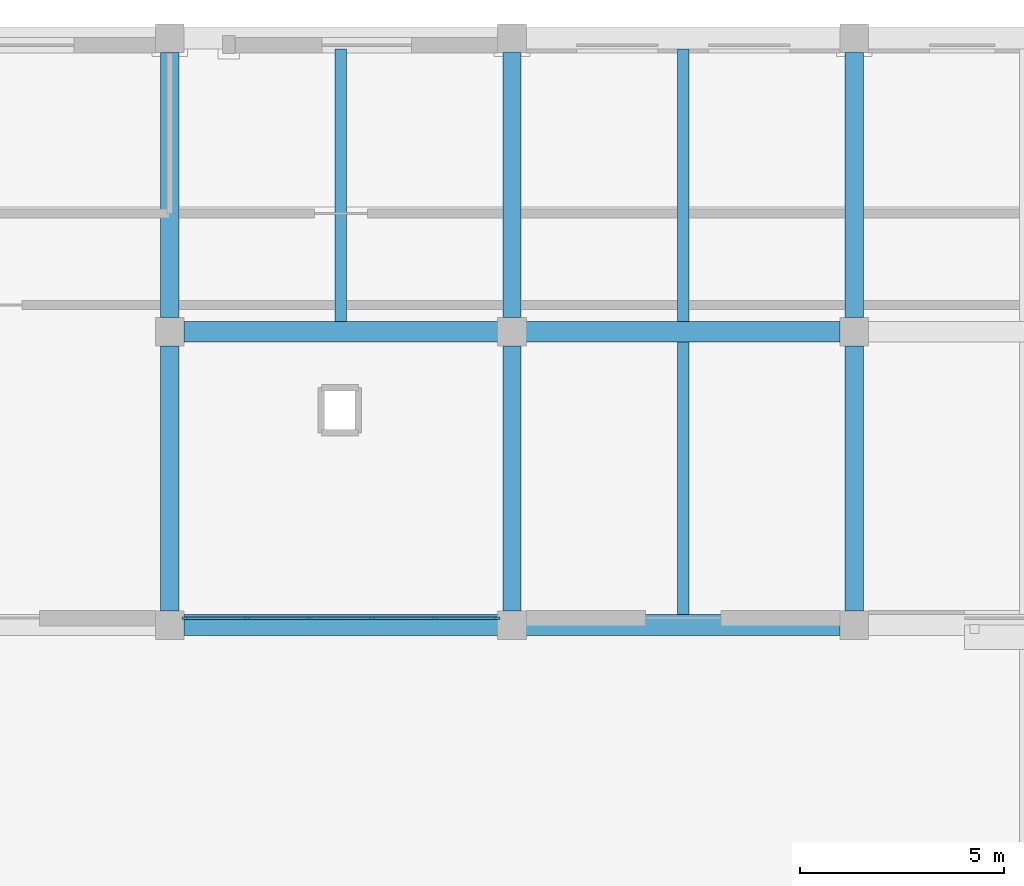
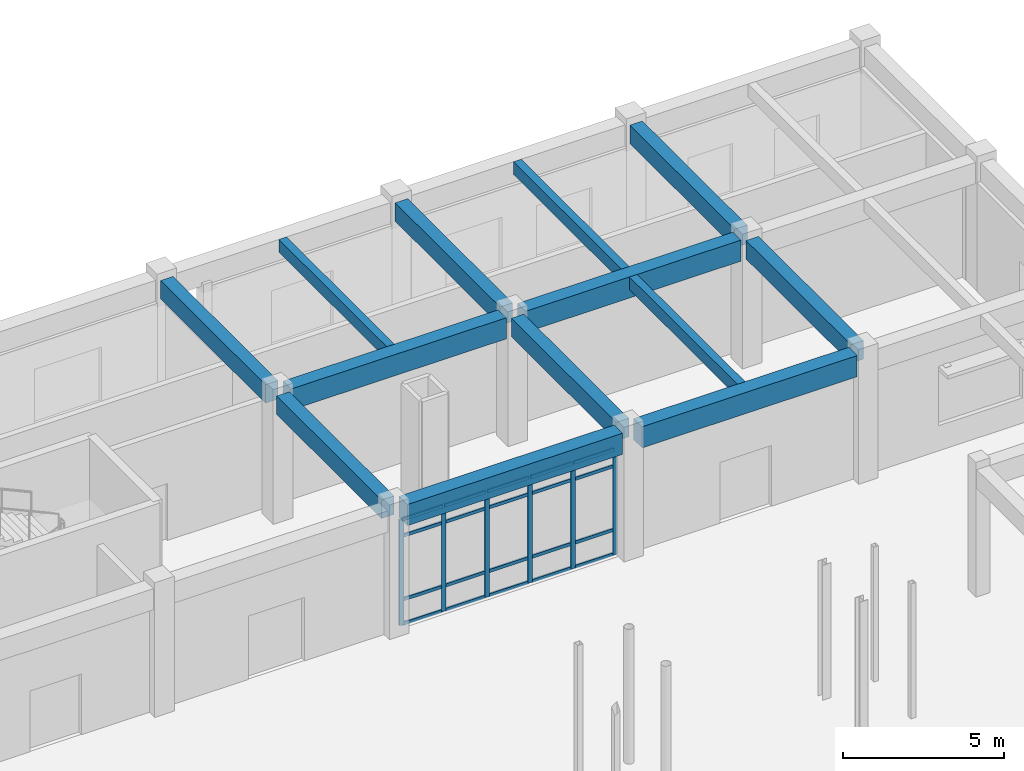
# One storey, part 58 of 121: 26 members, 13 beams, 1 element without a shape of its own.
"""IFC4 building model written with IfcOpenShell, lengths in metres."""

from ifc_helpers import new_model, si_unit, direction, frame, origin, origin_2d, place, context, subcontext, project, spatial, rectangle, extrude, material, material_profile, profile_set, type_object, element, aggregate, save


model = new_model("IFC4")

# Units and contexts
model_context = context("Model", 3, precision=1e-05, world=origin(), true_north=direction((0.0, 1.0)))
body_context = subcontext(model_context, "Body", "Model", "MODEL_VIEW")
ifc_project = project(units=[si_unit("LENGTHUNIT", "METRE"), si_unit("AREAUNIT", "SQUARE_METRE"), si_unit("VOLUMEUNIT", "CUBIC_METRE"), si_unit("PLANEANGLEUNIT", "RADIAN"), si_unit("MASSUNIT", "GRAM", prefix="KILO")], contexts=[model_context])

# Site, building, storey
site_placement = place(None, origin())
site = spatial("IfcSite", under=ifc_project, at=site_placement, CompositionType="ELEMENT")
building_placement = place(site_placement, origin())
building = spatial("IfcBuilding", under=site, at=building_placement, Name="Malvenik Polytechnic", CompositionType="ELEMENT")
storey_placement = place(building_placement, origin())
storey = spatial("IfcBuildingStorey", under=building, at=storey_placement, Name="L00", CompositionType="ELEMENT", Elevation=0.0)

# Curtain wall, members
ifc_material_1 = material(Name="Anodised aluminium 6060-T6", Category="aluminium")
curtain_wall_type = type_object("IfcCurtainWallType", Name="ARC-CW-CW-01", PredefinedType="NOTDEFINED", material=ifc_material_1)
curtain_wall_placement = place(storey_placement, origin())
curtain_wall = element("IfcCurtainWall", 1, at=curtain_wall_placement, inside=storey, type_object=curtain_wall_type, Name="Unitised Curtain Wall CW-01 L00 #11", PredefinedType="NOTDEFINED")
ifc_material_2 = material(Name="Anodised aluminium", Category="aluminium")
ifc_material_profile_1 = material_profile(ifc_material_2, rectangle(XDim=0.06005859375, YDim=0.159912109375, at=origin_2d()), Name="ALU MULLION 60x160")
ifc_profile_set_1 = profile_set([ifc_material_profile_1], Name="Anodised aluminium")
member_type_1 = type_object("IfcMemberType", Name="ARC-CWM-160", PredefinedType="MULLION", material=ifc_profile_set_1)
member_1_placement = place(storey_placement, frame((117.221923828125, 115.3701171875, 0.0), z_axis=(0.0, 0.0, 1.0), x_axis=(0.0, -1.0, 0.0)))
member_1 = element("IfcMember", 2, at=member_1_placement, type_object=member_type_1, Name="CW-01 mullion 1", PredefinedType="MULLION", context=body_context, shape_type="SweptSolid", body=[
    extrude(rectangle(XDim=0.06005859375, YDim=0.159912109375, at=origin_2d()), origin(), (0.0, 0.0, 1.0), 4.010009765625),
])
member_2_placement = place(storey_placement, frame((115.711181640625, 115.3701171875, 0.0), z_axis=(0.0, 0.0, 1.0), x_axis=(0.0, -1.0, 0.0)))
member_2 = element("IfcMember", 3, at=member_2_placement, type_object=member_type_1, Name="CW-01 mullion 2", PredefinedType="MULLION", context=body_context, shape_type="SweptSolid", body=[
    extrude(rectangle(XDim=0.06005859375, YDim=0.159912109375, at=origin_2d()), origin(), (0.0, 0.0, 1.0), 4.010009765625),
])
member_3_placement = place(storey_placement, frame((114.17041015625, 115.3701171875, 0.0), z_axis=(0.0, 0.0, 1.0), x_axis=(0.0, -1.0, 0.0)))
member_3 = element("IfcMember", 4, at=member_3_placement, type_object=member_type_1, Name="CW-01 mullion 3", PredefinedType="MULLION", context=body_context, shape_type="SweptSolid", body=[
    extrude(rectangle(XDim=0.06005859375, YDim=0.159912109375, at=origin_2d()), origin(), (0.0, 0.0, 1.0), 4.010009765625),
])
member_4_placement = place(storey_placement, frame((112.629638671875, 115.3701171875, 0.0), z_axis=(0.0, 0.0, 1.0), x_axis=(0.0, -1.0, 0.0)))
member_4 = element("IfcMember", 5, at=member_4_placement, type_object=member_type_1, Name="CW-01 mullion 4", PredefinedType="MULLION", context=body_context, shape_type="SweptSolid", body=[
    extrude(rectangle(XDim=0.06005859375, YDim=0.159912109375, at=origin_2d()), origin(), (0.0, 0.0, 1.0), 4.010009765625),
])
member_5_placement = place(storey_placement, frame((111.0888671875, 115.3701171875, 0.0), z_axis=(0.0, 0.0, 1.0), x_axis=(0.0, -1.0, 0.0)))
member_5 = element("IfcMember", 6, at=member_5_placement, type_object=member_type_1, Name="CW-01 mullion 5", PredefinedType="MULLION", context=body_context, shape_type="SweptSolid", body=[
    extrude(rectangle(XDim=0.06005859375, YDim=0.159912109375, at=origin_2d()), origin(), (0.0, 0.0, 1.0), 4.010009765625),
])
member_6_placement = place(storey_placement, frame((109.577880859375, 115.3701171875, 0.0), z_axis=(0.0, 0.0, 1.0), x_axis=(0.0, -1.0, 0.0)))
member_6 = element("IfcMember", 7, at=member_6_placement, type_object=member_type_1, Name="CW-01 mullion 6", PredefinedType="MULLION", context=body_context, shape_type="SweptSolid", body=[
    extrude(rectangle(XDim=0.06005859375, YDim=0.159912109375, at=origin_2d()), origin(), (0.0, 0.0, 1.0), 4.010009765625),
])
ifc_material_profile_2 = material_profile(ifc_material_2, rectangle(XDim=0.06005859375, YDim=0.1201171875, at=origin_2d()), Name="ALU TRANSOM 60x120")
ifc_profile_set_2 = profile_set([ifc_material_profile_2], Name="Anodised aluminium")
member_type_2 = type_object("IfcMemberType", Name="ARC-CWT-120", PredefinedType="USERDEFINED", material=ifc_profile_set_2)
member_7_placement = place(storey_placement, frame((117.19189453125, 115.3701171875, 0.030029296875), z_axis=(-1.0, 0.0, 0.0), x_axis=(0.0, -1.0, 0.0)))
member_7 = element("IfcMember", 8, at=member_7_placement, type_object=member_type_2, Name="CW-01 transom 1.1", ObjectType="TRANSOM", PredefinedType="USERDEFINED", context=body_context, shape_type="SweptSolid", body=[
    extrude(rectangle(XDim=0.06005859375, YDim=0.1201171875, at=origin_2d()), origin(), (0.0, 0.0, 1.0), 1.45068359375),
])
member_8_placement = place(storey_placement, frame((117.19189453125, 115.3701171875, 0.949951171875), z_axis=(-1.0, 0.0, 0.0), x_axis=(0.0, -1.0, 0.0)))
member_8 = element("IfcMember", 9, at=member_8_placement, type_object=member_type_2, Name="CW-01 transom 1.2", ObjectType="TRANSOM", PredefinedType="USERDEFINED", context=body_context, shape_type="SweptSolid", body=[
    extrude(rectangle(XDim=0.06005859375, YDim=0.1201171875, at=origin_2d()), origin(), (0.0, 0.0, 1.0), 1.45068359375),
])
member_9_placement = place(storey_placement, frame((117.19189453125, 115.3701171875, 3.360107421875), z_axis=(-1.0, 0.0, 0.0), x_axis=(0.0, -1.0, 0.0)))
member_9 = element("IfcMember", 10, at=member_9_placement, type_object=member_type_2, Name="CW-01 transom 1.3", ObjectType="TRANSOM", PredefinedType="USERDEFINED", context=body_context, shape_type="SweptSolid", body=[
    extrude(rectangle(XDim=0.06005859375, YDim=0.1201171875, at=origin_2d()), origin(), (0.0, 0.0, 1.0), 1.45068359375),
])
member_10_placement = place(storey_placement, frame((117.19189453125, 115.3701171875, 3.97998046875), z_axis=(-1.0, 0.0, 0.0), x_axis=(0.0, -1.0, 0.0)))
member_10 = element("IfcMember", 11, at=member_10_placement, type_object=member_type_2, Name="CW-01 transom 1.4", ObjectType="TRANSOM", PredefinedType="USERDEFINED", context=body_context, shape_type="SweptSolid", body=[
    extrude(rectangle(XDim=0.06005859375, YDim=0.1201171875, at=origin_2d()), origin(), (0.0, 0.0, 1.0), 1.45068359375),
])
member_11_placement = place(storey_placement, frame((115.68115234375, 115.3701171875, 0.030029296875), z_axis=(-1.0, 0.0, 0.0), x_axis=(0.0, -1.0, 0.0)))
member_11 = element("IfcMember", 12, at=member_11_placement, type_object=member_type_2, Name="CW-01 transom 2.1", ObjectType="TRANSOM", PredefinedType="USERDEFINED", context=body_context, shape_type="SweptSolid", body=[
    extrude(rectangle(XDim=0.06005859375, YDim=0.1201171875, at=origin_2d()), origin(), (0.0, 0.0, 1.0), 1.480712890625),
])
member_12_placement = place(storey_placement, frame((115.68115234375, 115.3701171875, 0.949951171875), z_axis=(-1.0, 0.0, 0.0), x_axis=(0.0, -1.0, 0.0)))
member_12 = element("IfcMember", 13, at=member_12_placement, type_object=member_type_2, Name="CW-01 transom 2.2", ObjectType="TRANSOM", PredefinedType="USERDEFINED", context=body_context, shape_type="SweptSolid", body=[
    extrude(rectangle(XDim=0.06005859375, YDim=0.1201171875, at=origin_2d()), origin(), (0.0, 0.0, 1.0), 1.480712890625),
])
member_13_placement = place(storey_placement, frame((115.68115234375, 115.3701171875, 3.360107421875), z_axis=(-1.0, 0.0, 0.0), x_axis=(0.0, -1.0, 0.0)))
member_13 = element("IfcMember", 14, at=member_13_placement, type_object=member_type_2, Name="CW-01 transom 2.3", ObjectType="TRANSOM", PredefinedType="USERDEFINED", context=body_context, shape_type="SweptSolid", body=[
    extrude(rectangle(XDim=0.06005859375, YDim=0.1201171875, at=origin_2d()), origin(), (0.0, 0.0, 1.0), 1.480712890625),
])
member_14_placement = place(storey_placement, frame((115.68115234375, 115.3701171875, 3.97998046875), z_axis=(-1.0, 0.0, 0.0), x_axis=(0.0, -1.0, 0.0)))
member_14 = element("IfcMember", 15, at=member_14_placement, type_object=member_type_2, Name="CW-01 transom 2.4", ObjectType="TRANSOM", PredefinedType="USERDEFINED", context=body_context, shape_type="SweptSolid", body=[
    extrude(rectangle(XDim=0.06005859375, YDim=0.1201171875, at=origin_2d()), origin(), (0.0, 0.0, 1.0), 1.480712890625),
])
member_15_placement = place(storey_placement, frame((114.140380859375, 115.3701171875, 0.030029296875), z_axis=(-1.0, 0.0, 0.0), x_axis=(0.0, -1.0, 0.0)))
member_15 = element("IfcMember", 16, at=member_15_placement, type_object=member_type_2, Name="CW-01 transom 3.1", ObjectType="TRANSOM", PredefinedType="USERDEFINED", context=body_context, shape_type="SweptSolid", body=[
    extrude(rectangle(XDim=0.06005859375, YDim=0.1201171875, at=origin_2d()), origin(), (0.0, 0.0, 1.0), 1.480712890625),
])
member_16_placement = place(storey_placement, frame((114.140380859375, 115.3701171875, 0.949951171875), z_axis=(-1.0, 0.0, 0.0), x_axis=(0.0, -1.0, 0.0)))
member_16 = element("IfcMember", 17, at=member_16_placement, type_object=member_type_2, Name="CW-01 transom 3.2", ObjectType="TRANSOM", PredefinedType="USERDEFINED", context=body_context, shape_type="SweptSolid", body=[
    extrude(rectangle(XDim=0.06005859375, YDim=0.1201171875, at=origin_2d()), origin(), (0.0, 0.0, 1.0), 1.480712890625),
])
member_17_placement = place(storey_placement, frame((114.140380859375, 115.3701171875, 3.360107421875), z_axis=(-1.0, 0.0, 0.0), x_axis=(0.0, -1.0, 0.0)))
member_17 = element("IfcMember", 18, at=member_17_placement, type_object=member_type_2, Name="CW-01 transom 3.3", ObjectType="TRANSOM", PredefinedType="USERDEFINED", context=body_context, shape_type="SweptSolid", body=[
    extrude(rectangle(XDim=0.06005859375, YDim=0.1201171875, at=origin_2d()), origin(), (0.0, 0.0, 1.0), 1.480712890625),
])
member_18_placement = place(storey_placement, frame((114.140380859375, 115.3701171875, 3.97998046875), z_axis=(-1.0, 0.0, 0.0), x_axis=(0.0, -1.0, 0.0)))
member_18 = element("IfcMember", 19, at=member_18_placement, type_object=member_type_2, Name="CW-01 transom 3.4", ObjectType="TRANSOM", PredefinedType="USERDEFINED", context=body_context, shape_type="SweptSolid", body=[
    extrude(rectangle(XDim=0.06005859375, YDim=0.1201171875, at=origin_2d()), origin(), (0.0, 0.0, 1.0), 1.480712890625),
])
member_19_placement = place(storey_placement, frame((112.599609375, 115.3701171875, 0.030029296875), z_axis=(-1.0, 0.0, 0.0), x_axis=(0.0, -1.0, 0.0)))
member_19 = element("IfcMember", 20, at=member_19_placement, type_object=member_type_2, Name="CW-01 transom 4.1", ObjectType="TRANSOM", PredefinedType="USERDEFINED", context=body_context, shape_type="SweptSolid", body=[
    extrude(rectangle(XDim=0.06005859375, YDim=0.1201171875, at=origin_2d()), origin(), (0.0, 0.0, 1.0), 1.480712890625),
])
member_20_placement = place(storey_placement, frame((112.599609375, 115.3701171875, 0.949951171875), z_axis=(-1.0, 0.0, 0.0), x_axis=(0.0, -1.0, 0.0)))
member_20 = element("IfcMember", 21, at=member_20_placement, type_object=member_type_2, Name="CW-01 transom 4.2", ObjectType="TRANSOM", PredefinedType="USERDEFINED", context=body_context, shape_type="SweptSolid", body=[
    extrude(rectangle(XDim=0.06005859375, YDim=0.1201171875, at=origin_2d()), origin(), (0.0, 0.0, 1.0), 1.480712890625),
])
member_21_placement = place(storey_placement, frame((112.599609375, 115.3701171875, 3.360107421875), z_axis=(-1.0, 0.0, 0.0), x_axis=(0.0, -1.0, 0.0)))
member_21 = element("IfcMember", 22, at=member_21_placement, type_object=member_type_2, Name="CW-01 transom 4.3", ObjectType="TRANSOM", PredefinedType="USERDEFINED", context=body_context, shape_type="SweptSolid", body=[
    extrude(rectangle(XDim=0.06005859375, YDim=0.1201171875, at=origin_2d()), origin(), (0.0, 0.0, 1.0), 1.480712890625),
])
member_22_placement = place(storey_placement, frame((112.599609375, 115.3701171875, 3.97998046875), z_axis=(-1.0, 0.0, 0.0), x_axis=(0.0, -1.0, 0.0)))
member_22 = element("IfcMember", 23, at=member_22_placement, type_object=member_type_2, Name="CW-01 transom 4.4", ObjectType="TRANSOM", PredefinedType="USERDEFINED", context=body_context, shape_type="SweptSolid", body=[
    extrude(rectangle(XDim=0.06005859375, YDim=0.1201171875, at=origin_2d()), origin(), (0.0, 0.0, 1.0), 1.480712890625),
])
member_23_placement = place(storey_placement, frame((111.058837890625, 115.3701171875, 0.030029296875), z_axis=(-1.0, 0.0, 0.0), x_axis=(0.0, -1.0, 0.0)))
member_23 = element("IfcMember", 24, at=member_23_placement, type_object=member_type_2, Name="CW-01 transom 5.1", ObjectType="TRANSOM", PredefinedType="USERDEFINED", context=body_context, shape_type="SweptSolid", body=[
    extrude(rectangle(XDim=0.06005859375, YDim=0.1201171875, at=origin_2d()), origin(), (0.0, 0.0, 1.0), 1.450927734375),
])
member_24_placement = place(storey_placement, frame((111.058837890625, 115.3701171875, 0.949951171875), z_axis=(-1.0, 0.0, 0.0), x_axis=(0.0, -1.0, 0.0)))
member_24 = element("IfcMember", 25, at=member_24_placement, type_object=member_type_2, Name="CW-01 transom 5.2", ObjectType="TRANSOM", PredefinedType="USERDEFINED", context=body_context, shape_type="SweptSolid", body=[
    extrude(rectangle(XDim=0.06005859375, YDim=0.1201171875, at=origin_2d()), origin(), (0.0, 0.0, 1.0), 1.450927734375),
])
member_25_placement = place(storey_placement, frame((111.058837890625, 115.3701171875, 3.360107421875), z_axis=(-1.0, 0.0, 0.0), x_axis=(0.0, -1.0, 0.0)))
member_25 = element("IfcMember", 26, at=member_25_placement, type_object=member_type_2, Name="CW-01 transom 5.3", ObjectType="TRANSOM", PredefinedType="USERDEFINED", context=body_context, shape_type="SweptSolid", body=[
    extrude(rectangle(XDim=0.06005859375, YDim=0.1201171875, at=origin_2d()), origin(), (0.0, 0.0, 1.0), 1.450927734375),
])
member_26_placement = place(storey_placement, frame((111.058837890625, 115.3701171875, 3.97998046875), z_axis=(-1.0, 0.0, 0.0), x_axis=(0.0, -1.0, 0.0)))
member_26 = element("IfcMember", 27, at=member_26_placement, type_object=member_type_2, Name="CW-01 transom 5.4", ObjectType="TRANSOM", PredefinedType="USERDEFINED", context=body_context, shape_type="SweptSolid", body=[
    extrude(rectangle(XDim=0.06005859375, YDim=0.1201171875, at=origin_2d()), origin(), (0.0, 0.0, 1.0), 1.450927734375),
])
aggregate(curtain_wall, [member_1, member_2, member_3, member_4, member_5, member_6, member_7, member_8, member_9, member_10, member_11, member_12, member_13, member_14, member_15, member_16, member_17, member_18, member_19, member_20, member_21, member_22, member_23, member_24, member_25, member_26])

# Beams
ifc_material_3 = material(Name="Concrete C35/45", Category="concrete")
ifc_material_profile_3 = material_profile(ifc_material_3, rectangle(XDim=0.5, YDim=0.800048828125, at=origin_2d()), Name="RC BM 500x800")
ifc_profile_set_3 = profile_set([ifc_material_profile_3], Name="Concrete C35/45")
beam_type_1 = type_object("IfcBeamType", Name="STR-BM-B-02", PredefinedType="BEAM", material=ifc_profile_set_3)
beam_1_placement = place(storey_placement, frame((109.548095703125, 122.39990234375, 4.419921875), z_axis=(1.0, 0.0, 0.0), x_axis=(0.0, 1.0, 0.0)))
element("IfcBeam", 28, at=beam_1_placement, inside=storey, type_object=beam_type_1, Name="Primary Beam B-02 L00 #695", PredefinedType="BEAM", context=body_context, shape_type="SweptSolid", body=[
    extrude(rectangle(XDim=0.5, YDim=0.800048828125, at=origin_2d()), origin(), (0.0, 0.0, 1.0), 7.703857421875),
])
beam_2_placement = place(storey_placement, frame((117.947998046875, 122.39990234375, 4.419921875), z_axis=(1.0, 0.0, 0.0), x_axis=(0.0, 1.0, 0.0)))
element("IfcBeam", 29, at=beam_2_placement, inside=storey, type_object=beam_type_1, Name="Primary Beam B-02 L00 #696", PredefinedType="BEAM", context=body_context, shape_type="SweptSolid", body=[
    extrude(rectangle(XDim=0.5, YDim=0.800048828125, at=origin_2d()), origin(), (0.0, 0.0, 1.0), 7.7041015625),
])
ifc_material_profile_4 = material_profile(ifc_material_3, rectangle(XDim=0.449951171875, YDim=0.699951171875, at=origin_2d()), Name="RC BM 450x700")
ifc_profile_set_4 = profile_set([ifc_material_profile_4], Name="Concrete C35/45")
beam_type_2 = type_object("IfcBeamType", Name="STR-BM-B-04", PredefinedType="BEAM", material=ifc_profile_set_4)
for number, where, z_axis, x_axis, name in (
    (30, (109.199951171875, 115.548095703125, 4.469970703125), (0.0, 1.0, 0.0), (-1.0, 0.0, 0.0), "Transverse Beam B-04 L00 #810"),
    (31, (109.199951171875, 122.748046875, 4.469970703125), (0.0, 1.0, 0.0), (-1.0, 0.0, 0.0), "Transverse Beam B-04 L00 #811"),
    (32, (117.60009765625, 115.548095703125, 4.469970703125), (0.0, 1.0, 0.0), (-1.0, 0.0, 0.0), "Transverse Beam B-04 L00 #821"),
    (33, (117.60009765625, 122.748046875, 4.469970703125), (0.0, 1.0, 0.0), (-1.0, 0.0, 0.0), "Transverse Beam B-04 L00 #822"),
    (34, (126.0, 115.548095703125, 4.469970703125), (0.0, 1.0, 0.0), (-1.0, 0.0, 0.0), "Transverse Beam B-04 L00 #834"),
    (35, (126.0, 122.748046875, 4.469970703125), (0.0, 1.0, 0.0), (-1.0, 0.0, 0.0), "Transverse Beam B-04 L00 #835"),
):
    element("IfcBeam", number, at=place(storey_placement, frame(where, z_axis=z_axis, x_axis=x_axis)), inside=storey, type_object=beam_type_2, Name=name, PredefinedType="BEAM", context=body_context, shape_type="SweptSolid", body=[
        extrude(rectangle(XDim=0.449951171875, YDim=0.699951171875, at=origin_2d()), origin(), (0.0, 0.0, 1.0), 6.50390625),
    ])
ifc_material_4 = material(Name="Concrete C30/37", Category="concrete")
ifc_material_profile_5 = material_profile(ifc_material_4, rectangle(XDim=0.280029296875, YDim=0.47998046875, at=origin_2d()), Name="RC JST 280x480")
ifc_profile_set_5 = profile_set([ifc_material_profile_5], Name="Concrete C30/37")
beam_type_3 = type_object("IfcBeamType", Name="STR-BM-J-01", PredefinedType="JOIST", material=ifc_profile_set_5)
for number, where, z_axis, x_axis, name in (
    (36, (113.39990234375, 122.64794921875, 4.580078125), (0.0, 1.0, 0.0), (-1.0, 0.0, 0.0), "Secondary Rib Joist J-01 L00 #922"),
    (37, (121.800048828125, 115.4580078125, 4.580078125), (0.0, 1.0, 0.0), (-1.0, 0.0, 0.0), "Secondary Rib Joist J-01 L00 #931"),
    (38, (121.800048828125, 122.64794921875, 4.580078125), (0.0, 1.0, 0.0), (-1.0, 0.0, 0.0), "Secondary Rib Joist J-01 L00 #932"),
):
    element("IfcBeam", number, at=place(storey_placement, frame(where, z_axis=z_axis, x_axis=x_axis)), inside=storey, type_object=beam_type_3, Name=name, PredefinedType="JOIST", context=body_context, shape_type="SweptSolid", body=[
        extrude(rectangle(XDim=0.280029296875, YDim=0.47998046875, at=origin_2d()), origin(), (0.0, 0.0, 1.0), 6.694091796875),
    ])
ifc_material_5 = material(Name="Precast concrete C40/50", Category="concrete")
ifc_material_profile_6 = material_profile(ifc_material_5, rectangle(XDim=0.52001953125, YDim=0.800048828125, at=origin_2d()), Name="PC SPN 520x800")
ifc_profile_set_6 = profile_set([ifc_material_profile_6], Name="Precast concrete C40/50")
beam_type_4 = type_object("IfcBeamType", Name="STR-BM-SP-01", PredefinedType="SPANDREL", material=ifc_profile_set_6)
beam_3_placement = place(storey_placement, frame((109.548095703125, 115.199951171875, 4.419921875), z_axis=(1.0, 0.0, 0.0), x_axis=(0.0, 1.0, 0.0)))
element("IfcBeam", 39, at=beam_3_placement, inside=storey, type_object=beam_type_4, Name="Primary Beam SP-01 L00 #685", PredefinedType="SPANDREL", context=body_context, shape_type="SweptSolid", body=[
    extrude(rectangle(XDim=0.52001953125, YDim=0.800048828125, at=origin_2d()), origin(), (0.0, 0.0, 1.0), 7.703857421875),
])
beam_4_placement = place(storey_placement, frame((117.947998046875, 115.199951171875, 4.419921875), z_axis=(1.0, 0.0, 0.0), x_axis=(0.0, 1.0, 0.0)))
element("IfcBeam", 40, at=beam_4_placement, inside=storey, type_object=beam_type_4, Name="Primary Beam SP-01 L00 #686", PredefinedType="SPANDREL", context=body_context, shape_type="SweptSolid", body=[
    extrude(rectangle(XDim=0.52001953125, YDim=0.800048828125, at=origin_2d()), origin(), (0.0, 0.0, 1.0), 7.7041015625),
])

save(model, "model.ifc")
